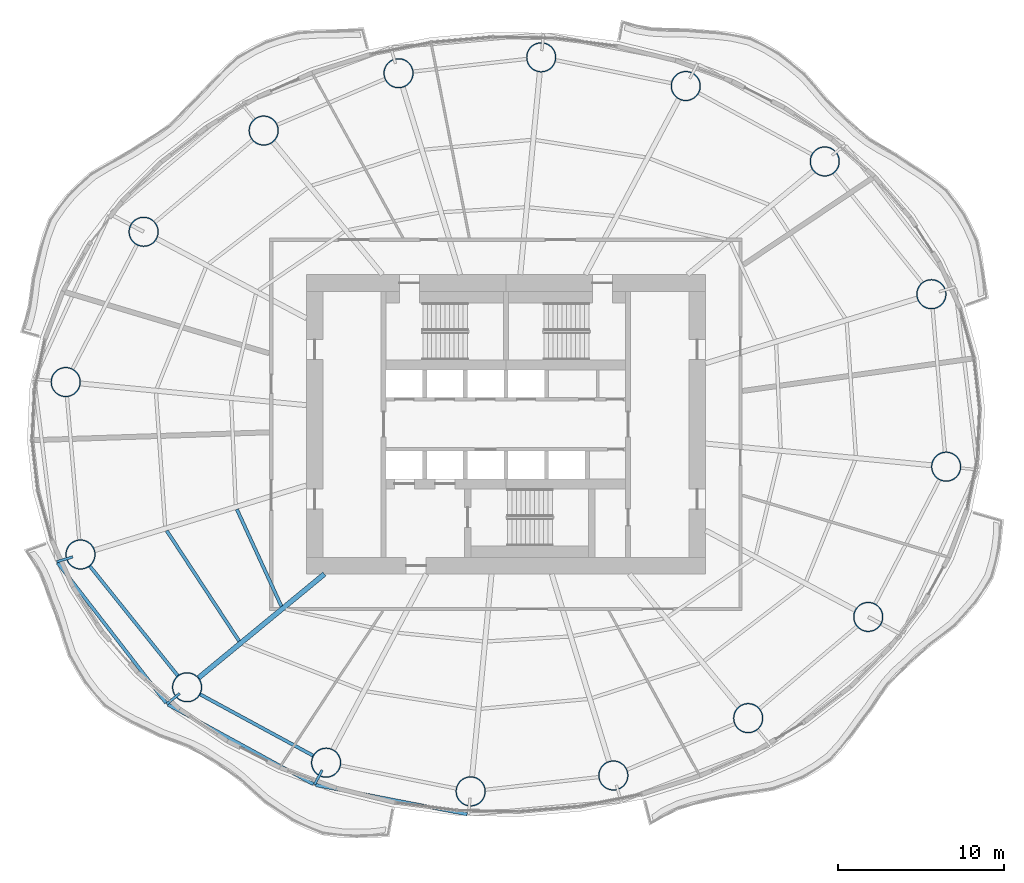
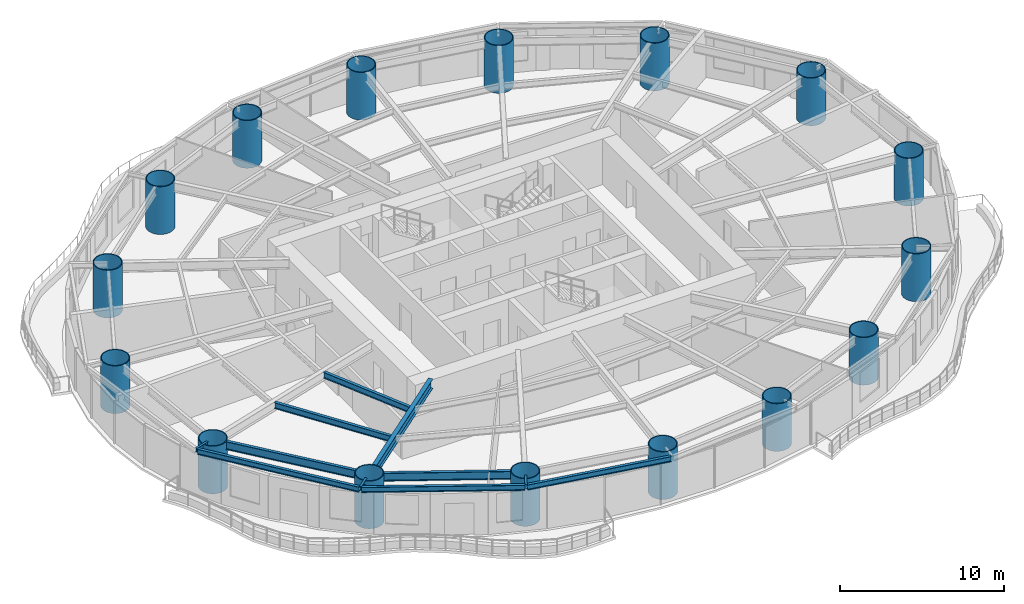
# One storey, part 1 of 16: 16 columns, 11 beams.
"""IFC4 building model written with IfcOpenShell, lengths in metres."""

from ifc_helpers import new_model, si_unit, direction, frame, origin, origin_2d, place, context, subcontext, project, spatial, hollow_circle, i_section, extrude, material, material_profile, profile_set, type_object, element, save


model = new_model("IFC4")

# Units and contexts
model_context = context("Model", 3, precision=1e-05, world=origin(), true_north=direction((0.0, 1.0)))
body_context = subcontext(model_context, "Body", "Model", "MODEL_VIEW")
ifc_project = project(units=[si_unit("LENGTHUNIT", "METRE"), si_unit("AREAUNIT", "SQUARE_METRE"), si_unit("VOLUMEUNIT", "CUBIC_METRE"), si_unit("PLANEANGLEUNIT", "RADIAN"), si_unit("MASSUNIT", "GRAM", prefix="KILO")], contexts=[model_context])

# Site, building, storey
site_placement = place(None, origin())
site = spatial("IfcSite", under=ifc_project, at=site_placement, CompositionType="ELEMENT")
building_placement = place(site_placement, origin())
building = spatial("IfcBuilding", under=site, at=building_placement, Name="Vermilion Reach Broadcast Tower", CompositionType="ELEMENT")
storey_placement = place(building_placement, frame((0.0, 0.0, 43.39990234375)))
storey = spatial("IfcBuildingStorey", under=building, at=storey_placement, Name="L07", CompositionType="ELEMENT", Elevation=43.39990234375)

# Columns
ifc_material_1 = material(Name="Concrete C80 infill in steel S460NL tube", Category="concrete")
ifc_material_profile_1 = material_profile(ifc_material_1, hollow_circle(Radius=0.89990234375, WallThickness=0.06005859375, at=origin_2d()), Name="Concrete C80 infill in steel S460NL tube CFT 1800x60")
ifc_profile_set_1 = profile_set([ifc_material_profile_1], Name="Concrete C80 infill in steel S460NL tube")
column_type = type_object("IfcColumnType", Name="MC1 CFT 1800x60", PredefinedType="COLUMN", material=ifc_profile_set_1)
for number, where, z_axis, x_axis, name in (
    (1, (19.575439453125, 7.823974609375, 0.0), (0.0, 0.0, 1.0), (1.0, 0.0, 0.0), "Mega-column MC1-01"),
    (2, (13.166259765625, 15.804931640625, 0.0), (0.0, 0.0, 1.0), (1.0, 0.0, 0.0), "Mega-column MC1-02"),
    (3, (4.809814453125, 20.3388671875, 0.0), (0.0, 0.0, 1.0), (1.0, 0.0, 0.0), "Mega-column MC1-03"),
    (4, (-3.87939453125, 22.06396484375, 0.0), (0.0, 0.0, 1.0), (1.0, 0.0, 0.0), "Mega-column MC1-04"),
    (5, (-12.45751953125, 21.108154296875, 0.0), (0.0, 0.0, 1.0), (1.0, 0.0, 0.0), "Mega-column MC1-05"),
    (6, (-20.563232421875, 17.660400390625, 0.0), (0.0, 0.0, 1.0), (1.0, 0.0, 0.0), "Mega-column MC1-06"),
    (7, (-27.77978515625, 11.57568359375, 0.0), (0.0, 0.0, 1.0), (1.0, 0.0, 0.0), "Mega-column MC1-07"),
    (8, (-32.464111328125, 2.54345703125, 0.0), (0.0, 0.0, 1.0), (1.0, 0.0, 0.0), "Mega-column MC1-08"),
    (9, (-31.575439453125, -7.823974609375, 0.0), (0.0, 0.0, 1.0), (1.0, 0.0, 0.0), "Mega-column MC1-09"),
    (10, (-25.166259765625, -15.804931640625, 0.0), (0.0, 0.0, 1.0), (1.0, 0.0, 0.0), "Mega-column MC1-10"),
    (11, (-16.809814453125, -20.3388671875, 0.0), (0.0, 0.0, 1.0), (1.0, 0.0, 0.0), "Mega-column MC1-11"),
    (12, (-8.12060546875, -22.06396484375, 0.0), (0.0, 0.0, 1.0), (1.0, 0.0, 0.0), "Mega-column MC1-12"),
    (13, (0.45751953125, -21.108154296875, 0.0), (0.0, 0.0, 1.0), (1.0, 0.0, 0.0), "Mega-column MC1-13"),
    (14, (8.563232421875, -17.660400390625, 0.0), (0.0, 0.0, 1.0), (1.0, 0.0, 0.0), "Mega-column MC1-14"),
    (15, (15.77978515625, -11.57568359375, 0.0), (0.0, 0.0, 1.0), (1.0, 0.0, 0.0), "Mega-column MC1-15"),
    (16, (20.464111328125, -2.54345703125, 0.0), (0.0, 0.0, 1.0), (1.0, 0.0, 0.0), "Mega-column MC1-16"),
):
    element("IfcColumn", number, at=place(storey_placement, frame(where, z_axis=z_axis, x_axis=x_axis)), inside=storey, type_object=column_type, Name=name, PredefinedType="COLUMN", context=body_context, shape_type="SweptSolid", body=[
        extrude(hollow_circle(Radius=0.89990234375, WallThickness=0.06005859375, at=origin_2d()), origin(), (0.0, 0.0, 1.0), 3.550048828125),
    ])

# Beams
ifc_material_2 = material(Name="Steel S355J2", Category="steel")
ifc_material_profile_2 = material_profile(ifc_material_2, i_section(OverallWidth=0.199951171875, OverallDepth=0.39990234375, WebThickness=0.008056640625, FlangeThickness=0.012939453125, at=origin_2d()), Name="S355J2 HN 400x200x8x13")
ifc_profile_set_2 = profile_set([ifc_material_profile_2], Name="Steel S355J2")
beam_type_1 = type_object("IfcBeamType", Name="EB1 HN 400x200x8x13", PredefinedType="BEAM", material=ifc_profile_set_2)
beam_1_placement = place(storey_placement, frame((-32.9501953125, -8.322998046875, 3.35009765625), z_axis=(0.612073363267, -0.790800985065, 0.0), x_axis=(0.790800985065, 0.612073363267, 0.0)))
element("IfcBeam", 17, at=beam_1_placement, inside=storey, type_object=beam_type_1, Name="Edge beam EB1-09", PredefinedType="BEAM", context=body_context, shape_type="SweptSolid", body=[
    extrude(i_section(OverallWidth=0.199951171875, OverallDepth=0.39990234375, WebThickness=0.008056640625, FlangeThickness=0.012939453125, at=origin_2d()), origin(), (0.0, 0.0, 1.0), 10.65478515625),
])
beam_2_placement = place(storey_placement, frame((-26.311767578125, -16.846923828125, 3.35009765625), z_axis=(0.877128736465, -0.480255327579, 0.0), x_axis=(0.480255327579, 0.877128736465, 0.0)))
element("IfcBeam", 18, at=beam_2_placement, inside=storey, type_object=beam_type_1, Name="Edge beam EB1-10", PredefinedType="BEAM", context=body_context, shape_type="SweptSolid", body=[
    extrude(i_section(OverallWidth=0.199951171875, OverallDepth=0.39990234375, WebThickness=0.008056640625, FlangeThickness=0.012939453125, at=origin_2d()), origin(), (0.0, 0.0, 1.0), 9.955078125),
])
beam_3_placement = place(storey_placement, frame((-17.43701171875, -21.6787109375, 3.35009765625), z_axis=(0.981810718758, -0.189862351537, 0.0), x_axis=(0.189862351537, 0.981810718758, 0.0)))
element("IfcBeam", 19, at=beam_3_placement, inside=storey, type_object=beam_type_1, Name="Edge beam EB1-11", PredefinedType="BEAM", context=body_context, shape_type="SweptSolid", body=[
    extrude(i_section(OverallWidth=0.199951171875, OverallDepth=0.39990234375, WebThickness=0.008056640625, FlangeThickness=0.012939453125, at=origin_2d()), origin(), (0.0, 0.0, 1.0), 9.277587890625),
])
ifc_material_3 = material(Name="Steel S355J2", Category="steel")
ifc_material_profile_3 = material_profile(ifc_material_3, i_section(OverallWidth=0.300048828125, OverallDepth=0.699951171875, WebThickness=0.012939453125, FlangeThickness=0.02392578125, at=origin_2d()), Name="S355J2 HN 700x300x13x24")
ifc_profile_set_3 = profile_set([ifc_material_profile_3], Name="Steel S355J2")
beam_type_2 = type_object("IfcBeamType", Name="G1 HN 700x300x13x24", PredefinedType="BEAM", material=ifc_profile_set_3)
beam_4_placement = place(storey_placement, frame((-16.9140625, -9.0, 3.2001953125), z_axis=(-0.771514256373, -0.636212034005, 0.0), x_axis=(0.636212034005, -0.771514256373, 0.0)))
element("IfcBeam", 20, at=beam_4_placement, inside=storey, type_object=beam_type_2, Name="Girder G1-10", PredefinedType="BEAM", context=body_context, shape_type="SweptSolid", body=[
    extrude(i_section(OverallWidth=0.300048828125, OverallDepth=0.699951171875, WebThickness=0.012939453125, FlangeThickness=0.02392578125, at=origin_2d()), origin(), (0.0, 0.0, 1.0), 9.796142578125),
])
ifc_material_4 = material(Name="Steel S355J2", Category="steel")
ifc_material_profile_4 = material_profile(ifc_material_4, i_section(OverallWidth=0.14990234375, OverallDepth=0.300048828125, WebThickness=0.006591796875, FlangeThickness=0.009033203125, at=origin_2d()), Name="S355J2 HN 300x150x6.5x9")
ifc_profile_set_4 = profile_set([ifc_material_profile_4], Name="Steel S355J2")
beam_type_3 = type_object("IfcBeamType", Name="GS1 HN 300x150x6.5x9", PredefinedType="BEAM", material=ifc_profile_set_4)
beam_5_placement = place(storey_placement, frame((-32.043212890625, -7.967041015625, 3.400146484375), z_axis=(-0.956184611971, -0.29276438962, 0.0), x_axis=(0.29276438962, -0.956184611971, 0.0)))
element("IfcBeam", 21, at=beam_5_placement, inside=storey, type_object=beam_type_3, Name="Cantilever stub GS1-09", PredefinedType="BEAM", context=body_context, shape_type="SweptSolid", body=[
    extrude(i_section(OverallWidth=0.14990234375, OverallDepth=0.300048828125, WebThickness=0.006591796875, FlangeThickness=0.009033203125, at=origin_2d()), origin(), (0.0, 0.0, 1.0), 0.999755859375),
])
beam_6_placement = place(storey_placement, frame((-25.611083984375, -16.171875, 3.400146484375), z_axis=(-0.77159191305, -0.636117850493, 0.0), x_axis=(0.636117850493, -0.77159191305, 0.0)))
element("IfcBeam", 22, at=beam_6_placement, inside=storey, type_object=beam_type_3, Name="Cantilever stub GS1-10", PredefinedType="BEAM", context=body_context, shape_type="SweptSolid", body=[
    extrude(i_section(OverallWidth=0.14990234375, OverallDepth=0.300048828125, WebThickness=0.006591796875, FlangeThickness=0.009033203125, at=origin_2d()), origin(), (0.0, 0.0, 1.0), 1.000244140625),
])
beam_7_placement = place(storey_placement, frame((-17.044677734375, -20.78076171875, 3.400146484375), z_axis=(-0.469434829463, -0.882967123333, 0.0), x_axis=(0.882967123333, -0.469434829463, 0.0)))
element("IfcBeam", 23, at=beam_7_placement, inside=storey, type_object=beam_type_3, Name="Cantilever stub GS1-11", PredefinedType="BEAM", context=body_context, shape_type="SweptSolid", body=[
    extrude(i_section(OverallWidth=0.14990234375, OverallDepth=0.300048828125, WebThickness=0.006591796875, FlangeThickness=0.009033203125, at=origin_2d()), origin(), (0.0, 0.0, 1.0), 1.0),
])
ifc_material_5 = material(Name="Steel S355J2", Category="steel")
ifc_material_profile_5 = material_profile(ifc_material_5, i_section(OverallWidth=0.199951171875, OverallDepth=0.60009765625, WebThickness=0.010986328125, FlangeThickness=0.01708984375, at=origin_2d()), Name="S355J2 HN 600x200x11x17")
ifc_profile_set_5 = profile_set([ifc_material_profile_5], Name="Steel S355J2")
beam_type_4 = type_object("IfcBeamType", Name="RB1 HN 600x200x11x17", PredefinedType="BEAM", material=ifc_profile_set_5)
beam_8_placement = place(storey_placement, frame((-31.011962890625, -8.52587890625, 3.25), z_axis=(0.626162157191, -0.779692858055, 0.0), x_axis=(0.779692858055, 0.626162157191, 0.0)))
element("IfcBeam", 24, at=beam_8_placement, inside=storey, type_object=beam_type_4, Name="Ring beam RB1-09", PredefinedType="BEAM", context=body_context, shape_type="SweptSolid", body=[
    extrude(i_section(OverallWidth=0.199951171875, OverallDepth=0.60009765625, WebThickness=0.010986328125, FlangeThickness=0.01708984375, at=origin_2d()), origin(), (0.0, 0.0, 1.0), 8.435791015625),
])
beam_9_placement = place(storey_placement, frame((-24.375244140625, -16.234130859375, 3.25), z_axis=(0.878962319551, -0.476891225344, 0.0), x_axis=(0.476891225344, 0.878962319551, 0.0)))
element("IfcBeam", 25, at=beam_9_placement, inside=storey, type_object=beam_type_4, Name="Ring beam RB1-10", PredefinedType="BEAM", context=body_context, shape_type="SweptSolid", body=[
    extrude(i_section(OverallWidth=0.199951171875, OverallDepth=0.60009765625, WebThickness=0.010986328125, FlangeThickness=0.01708984375, at=origin_2d()), origin(), (0.0, 0.0, 1.0), 7.707275390625),
])
ifc_material_6 = material(Name="Steel S355J2", Category="steel")
ifc_material_profile_6 = material_profile(ifc_material_6, i_section(OverallWidth=0.199951171875, OverallDepth=0.449951171875, WebThickness=0.009033203125, FlangeThickness=0.013916015625, at=origin_2d()), Name="S355J2 HN 450x200x9x14")
ifc_profile_set_6 = profile_set([ifc_material_profile_6], Name="Steel S355J2")
beam_type_5 = type_object("IfcBeamType", Name="SB1 HN 450x200x9x14", PredefinedType="BEAM", material=ifc_profile_set_6)
beam_10_placement = place(storey_placement, frame((-22.175048828125, -5.105224609375, 3.3251953125), z_axis=(0.417211452529, -0.908809443106, 0.0), x_axis=(0.908809443106, 0.417211452529, 0.0)))
element("IfcBeam", 26, at=beam_10_placement, inside=storey, type_object=beam_type_5, Name="Secondary beam SB1-09-1", PredefinedType="BEAM", context=body_context, shape_type="SweptSolid", body=[
    extrude(i_section(OverallWidth=0.199951171875, OverallDepth=0.449951171875, WebThickness=0.009033203125, FlangeThickness=0.013916015625, at=origin_2d()), origin(), (0.0, 0.0, 1.0), 6.41650390625),
])
beam_11_placement = place(storey_placement, frame((-26.390625, -6.394775390625, 3.3251953125), z_axis=(0.548800909102, -0.835953086105, 0.0), x_axis=(0.835953086105, 0.548800909102, 0.0)))
element("IfcBeam", 27, at=beam_11_placement, inside=storey, type_object=beam_type_5, Name="Secondary beam SB1-09-2", PredefinedType="BEAM", context=body_context, shape_type="SweptSolid", body=[
    extrude(i_section(OverallWidth=0.199951171875, OverallDepth=0.449951171875, WebThickness=0.009033203125, FlangeThickness=0.013916015625, at=origin_2d()), origin(), (0.0, 0.0, 1.0), 7.935791015625),
])

save(model, "model.ifc")
